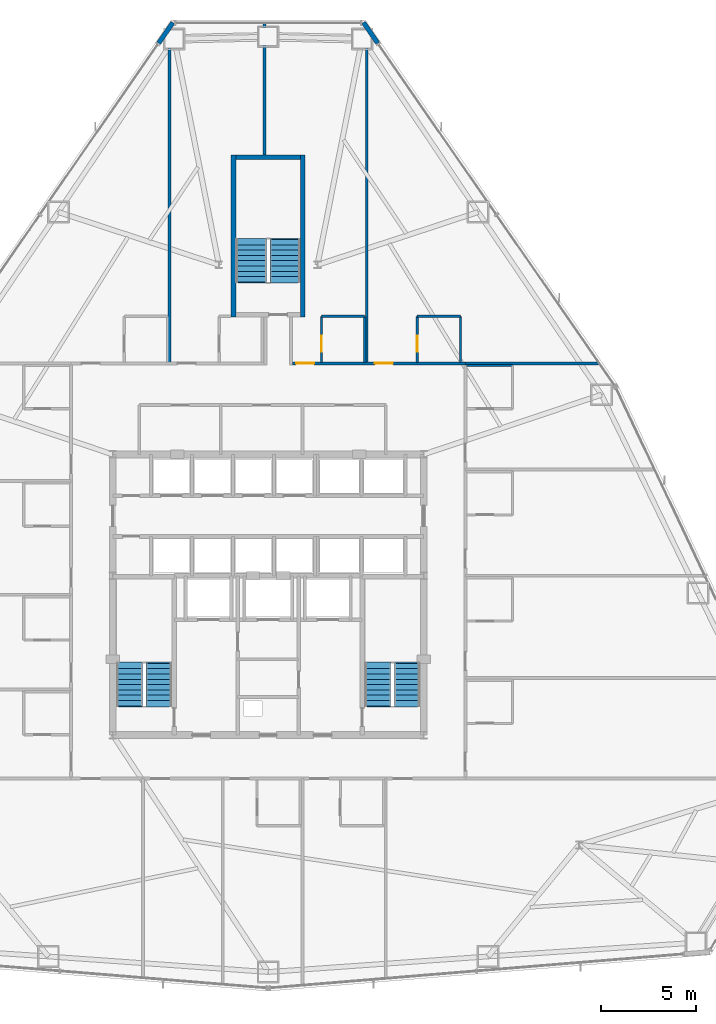
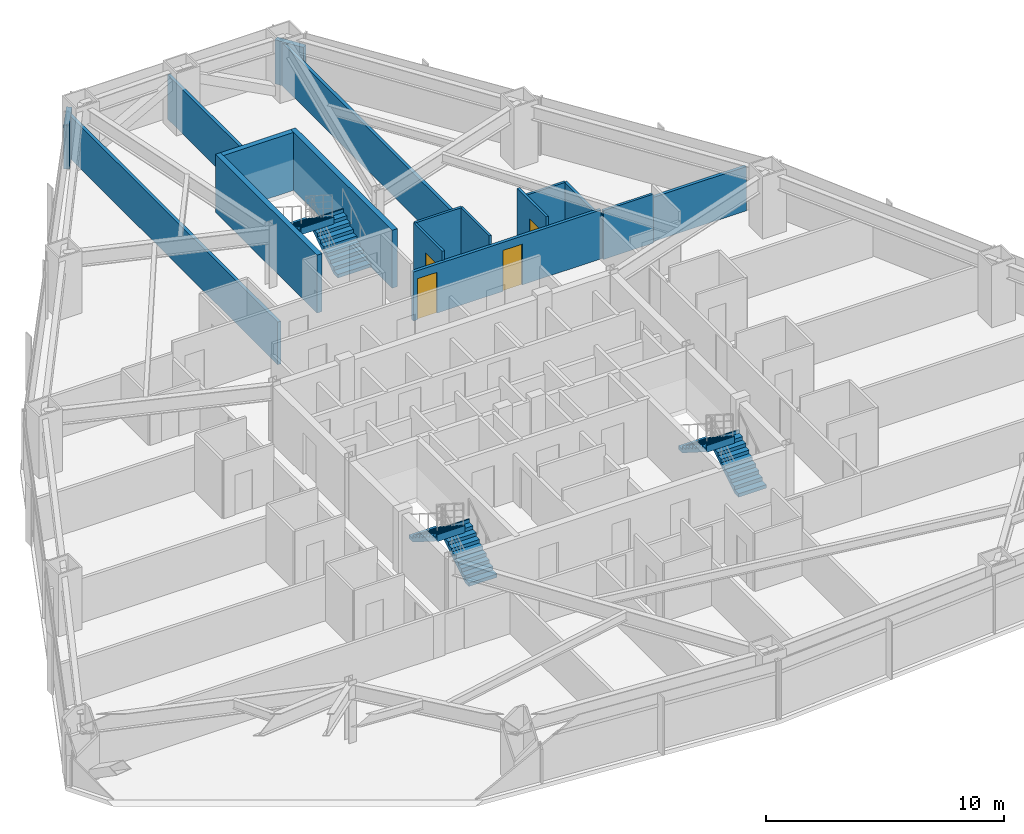
# One storey, part 12 of 13: 17 walls, 6 stair flights, 4 doors, 4 openings, 3 elements without a shape of their own.
"""IFC4 building model written with IfcOpenShell, lengths in metres."""

from ifc_helpers import new_model, si_unit, direction, frame, frame_2d, origin, place, context, subcontext, project, spatial, polyline, rectangle, outline, extrude, material, layer, layer_set, type_object, element, fill, aggregate, save


model = new_model("IFC4")

# Units and contexts
model_context = context("Model", 3, precision=1e-05, world=origin(), true_north=direction((0.0, 1.0)))
body_context = subcontext(model_context, "Body", "Model", "MODEL_VIEW")
ifc_project = project(units=[si_unit("LENGTHUNIT", "METRE"), si_unit("AREAUNIT", "SQUARE_METRE"), si_unit("VOLUMEUNIT", "CUBIC_METRE"), si_unit("PLANEANGLEUNIT", "RADIAN"), si_unit("MASSUNIT", "GRAM", prefix="KILO")], contexts=[model_context])

# Site, building, storey
site_placement = place(None, origin())
site = spatial("IfcSite", under=ifc_project, at=site_placement, CompositionType="ELEMENT")
building_placement = place(site_placement, origin())
building = spatial("IfcBuilding", under=site, at=building_placement, Name="Varakhsha Concourse Tower", CompositionType="ELEMENT")
storey_placement = place(building_placement, frame((0.0, 0.0, 52.800048828125)))
storey = spatial("IfcBuildingStorey", under=building, at=storey_placement, Name="L14", CompositionType="ELEMENT", Elevation=52.800048828125)

# Walls
ifc_material_1 = material(Name="Concrete fc 45 MPa", Category="concrete")
ifc_layer_1 = layer(ifc_material_1, 0.239990234375, Name="WL-EXT-CRN-240")
ifc_layer_set_1 = layer_set([ifc_layer_1], Name="Concrete fc 45 MPa")
wall_type_1 = type_object("IfcWallType", Name="WL-EXT-CRN-240", PredefinedType="SHEAR", material=ifc_layer_set_1)
for number, where, z_axis, x_axis, name in (
    (1, (34.972900390625, 53.982421875, 0.0), (0.0, 0.0, 1.0), (-0.569066739455, -0.82229133891, 0.0), "L14 Wind-Corner Shoulder Wall F2"),
    (2, (45.78369140625, 52.88916015625, 0.0), (0.0, 0.0, 1.0), (-0.569066739455, 0.82229133891, 0.0), "L14 Wind-Corner Shoulder Wall F9"),
):
    element("IfcWall", number, at=place(storey_placement, frame(where, z_axis=z_axis, x_axis=x_axis)), inside=storey, type_object=wall_type_1, Name=name, PredefinedType="SHEAR", context=body_context, shape_type="SweptSolid", body=[
        extrude(rectangle(XDim=1.32958984375, YDim=0.239990234375, at=frame_2d((0.664794921875, 0.0))), origin(), (0.0, 0.0, 1.0), 2.262939453125),
    ])
ifc_material_2 = material(Name="Acoustic Gypsum Board Partition Assembly", Category="gypsum")
ifc_layer_2 = layer(ifc_material_2, 0.1201171875, Name="WL-PART-120")
ifc_layer_set_2 = layer_set([ifc_layer_2], Name="Acoustic Gypsum Board Partition Assembly")
wall_type_2 = type_object("IfcWallType", Name="WL-PART-120", PredefinedType="PARTITIONING", material=ifc_layer_set_2)
wall_1_placement = place(storey_placement, frame((50.4599609375, 35.889892578125, 0.0), z_axis=(0.0, 0.0, 1.0), x_axis=(1.0, 0.0, 0.0)))
element("IfcWall", 3, at=wall_1_placement, inside=storey, type_object=wall_type_2, Name="L14 Wall ENSW-N-L14-H13", PredefinedType="PARTITIONING", context=body_context, shape_type="SweptSolid", body=[
    extrude(rectangle(XDim=2.429931640625, YDim=0.1201171875, at=frame_2d((1.21484375, 0.0))), origin(), (0.0, 0.0, 1.0), 2.512939453125),
])

# Wall, opening, door
wall_2_placement = place(storey_placement, frame((42.81005859375, 36.06005859375, 0.0), z_axis=(0.0, 0.0, 1.0), x_axis=(0.0, 1.0, 0.0)))
wall_2 = element("IfcWall", 4, at=wall_2_placement, inside=storey, type_object=wall_type_2, Name="L14 Wall ENSW-W-L14-H16", PredefinedType="PARTITIONING", context=body_context, shape_type="SweptSolid", body=[
    extrude(rectangle(XDim=2.429931640625, YDim=0.1201171875, at=frame_2d((1.21484375, 0.0))), origin(), (0.0, 0.0, 1.0), 2.97998046875),
])
opening_1_placement = place(wall_2_placement, frame((0.550048828125, 0.0, 0.0)))
opening_1 = element("IfcOpeningElement", 5, at=opening_1_placement, cuts=wall_2, Name="Opening DI-01", PredefinedType="OPENING", context=body_context, shape_type="SweptSolid", body=[
    extrude(rectangle(XDim=0.85009765625, YDim=2.050048828125, at=frame_2d((0.425048828125, 1.02490234375))), frame((0.0, 0.070068359375, 0.0), z_axis=(0.0, -1.0, 0.0), x_axis=(1.0, 0.0, 0.0)), (0.0, 0.0, 1.0), 0.14013671875),
])
ifc_material_3 = material(Name="Architectural Walnut Acoustic Timber Door", Category="wood")
door_type_1 = type_object("IfcDoorType", Name="DR-INT-850", OperationType="NOTDEFINED", PredefinedType="DOOR", material=ifc_material_3)
door_1_placement = place(opening_1_placement, origin())
door_1 = element("IfcDoor", 6, at=door_1_placement, inside=storey, type_object=door_type_1, Name="L14 En-suite Bathroom Door L14-H16", OperationType="SINGLE_SWING_RIGHT", OverallHeight=2.050048828125, OverallWidth=0.85009765625, PredefinedType="DOOR", context=body_context, shape_type="SweptSolid", body=[
    extrude(rectangle(XDim=0.85009765625, YDim=2.050048828125, at=frame_2d((0.425048828125, 1.02490234375))), frame((0.0, 0.02490234375, 0.0), z_axis=(0.0, -1.0, 0.0), x_axis=(1.0, 0.0, 0.0)), (0.0, 0.0, 1.0), 0.050048828125),
])
fill(opening_1, door_1)

# Walls
wall_3_placement = place(storey_placement, frame((45.090087890625, 36.06005859375, 0.0), z_axis=(0.0, 0.0, 1.0), x_axis=(0.0, 1.0, 0.0)))
element("IfcWall", 7, at=wall_3_placement, inside=storey, type_object=wall_type_2, Name="L14 Wall ENSW-E-L14-H16", PredefinedType="PARTITIONING", context=body_context, shape_type="SweptSolid", body=[
    extrude(rectangle(XDim=2.429931640625, YDim=0.1201171875, at=frame_2d((1.21484375, 0.0))), origin(), (0.0, 0.0, 1.0), 2.97998046875),
])
wall_4_placement = place(storey_placement, frame((42.81005859375, 38.489990234375, 0.0), z_axis=(0.0, 0.0, 1.0), x_axis=(1.0, 0.0, 0.0)))
element("IfcWall", 8, at=wall_4_placement, inside=storey, type_object=wall_type_2, Name="L14 Wall ENSW-N-L14-H16", PredefinedType="PARTITIONING", context=body_context, shape_type="SweptSolid", body=[
    extrude(rectangle(XDim=2.280029296875, YDim=0.1201171875, at=frame_2d((1.14013671875, 0.0))), origin(), (0.0, 0.0, 1.0), 2.97998046875),
])

# Wall, opening, door
wall_5_placement = place(storey_placement, frame((47.860107421875, 36.06005859375, 0.0), z_axis=(0.0, 0.0, 1.0), x_axis=(0.0, 1.0, 0.0)))
wall_5 = element("IfcWall", 9, at=wall_5_placement, inside=storey, type_object=wall_type_2, Name="L14 Wall ENSW-W-L14-H17", PredefinedType="PARTITIONING", context=body_context, shape_type="SweptSolid", body=[
    extrude(rectangle(XDim=2.429931640625, YDim=0.1201171875, at=frame_2d((1.21484375, 0.0))), origin(), (0.0, 0.0, 1.0), 2.97998046875),
])
opening_2_placement = place(wall_5_placement, frame((0.550048828125, 0.0, 0.0)))
opening_2 = element("IfcOpeningElement", 10, at=opening_2_placement, cuts=wall_5, Name="Opening DI-01", PredefinedType="OPENING", context=body_context, shape_type="SweptSolid", body=[
    extrude(rectangle(XDim=0.85009765625, YDim=2.050048828125, at=frame_2d((0.425048828125, 1.02490234375))), frame((0.0, 0.070068359375, 0.0), z_axis=(0.0, -1.0, 0.0), x_axis=(1.0, 0.0, 0.0)), (0.0, 0.0, 1.0), 0.14013671875),
])
door_2_placement = place(opening_2_placement, origin())
door_2 = element("IfcDoor", 11, at=door_2_placement, inside=storey, type_object=door_type_1, Name="L14 En-suite Bathroom Door L14-H17", OperationType="SINGLE_SWING_RIGHT", OverallHeight=2.050048828125, OverallWidth=0.85009765625, PredefinedType="DOOR", context=body_context, shape_type="SweptSolid", body=[
    extrude(rectangle(XDim=0.85009765625, YDim=2.050048828125, at=frame_2d((0.425048828125, 1.02490234375))), frame((0.0, 0.02490234375, 0.0), z_axis=(0.0, -1.0, 0.0), x_axis=(1.0, 0.0, 0.0)), (0.0, 0.0, 1.0), 0.050048828125),
])
fill(opening_2, door_2)

# Walls
wall_6_placement = place(storey_placement, frame((50.139892578125, 36.06005859375, 0.0), z_axis=(0.0, 0.0, 1.0), x_axis=(0.0, 1.0, 0.0)))
element("IfcWall", 12, at=wall_6_placement, inside=storey, type_object=wall_type_2, Name="L14 Wall ENSW-E-L14-H17", PredefinedType="PARTITIONING", context=body_context, shape_type="SweptSolid", body=[
    extrude(rectangle(XDim=2.429931640625, YDim=0.1201171875, at=frame_2d((1.21484375, 0.0))), origin(), (0.0, 0.0, 1.0), 2.512939453125),
])
wall_7_placement = place(storey_placement, frame((47.860107421875, 38.489990234375, 0.0), z_axis=(0.0, 0.0, 1.0), x_axis=(1.0, 0.0, 0.0)))
element("IfcWall", 13, at=wall_7_placement, inside=storey, type_object=wall_type_2, Name="L14 Wall ENSW-N-L14-H17", PredefinedType="PARTITIONING", context=body_context, shape_type="SweptSolid", body=[
    extrude(rectangle(XDim=2.27978515625, YDim=0.1201171875, at=frame_2d((1.139892578125, 0.0))), origin(), (0.0, 0.0, 1.0), 2.512939453125),
])

# Wall, openings, doors
ifc_material_4 = material(Name="Fire-Rated Type X Gypsum Partition Assembly", Category="gypsum")
ifc_layer_3 = layer(ifc_material_4, 0.14990234375, Name="WL-PART-150")
ifc_layer_set_3 = layer_set([ifc_layer_3], Name="Fire-Rated Type X Gypsum Partition Assembly")
wall_type_3 = type_object("IfcWallType", Name="WL-PART-150", PredefinedType="PARTITIONING", material=ifc_layer_set_3)
wall_8_placement = place(storey_placement, frame((41.27490234375, 36.0, 0.0), z_axis=(0.0, 0.0, 1.0), x_axis=(1.0, 0.0, 0.0)))
wall_8 = element("IfcWall", 14, at=wall_8_placement, inside=storey, type_object=wall_type_3, Name="L14 Wall CRW-N-L14-B", PredefinedType="PARTITIONING", context=body_context, shape_type="SweptSolid", body=[
    extrude(rectangle(XDim=9.125, YDim=0.14990234375, at=frame_2d((4.5625, 0.0))), origin(), (0.0, 0.0, 1.0), 2.512939453125),
])
opening_3_placement = place(wall_8_placement, frame((0.199951171875, 0.0, 0.0)))
opening_3 = element("IfcOpeningElement", 15, at=opening_3_placement, cuts=wall_8, Name="Opening DF-05", PredefinedType="OPENING", context=body_context, shape_type="SweptSolid", body=[
    extrude(rectangle(XDim=0.949951171875, YDim=2.10009765625, at=frame_2d((0.47509765625, 1.050048828125))), frame((0.0, 0.0849609375, 0.0), z_axis=(0.0, -1.0, 0.0), x_axis=(1.0, 0.0, 0.0)), (0.0, 0.0, 1.0), 0.169921875),
])
opening_4_placement = place(wall_8_placement, frame((4.344970703125, 0.0, 0.0)))
opening_4 = element("IfcOpeningElement", 16, at=opening_4_placement, cuts=wall_8, Name="Opening DF-05", PredefinedType="OPENING", context=body_context, shape_type="SweptSolid", body=[
    extrude(rectangle(XDim=0.949951171875, YDim=2.10009765625, at=frame_2d((0.47509765625, 1.050048828125))), frame((0.0, 0.0849609375, 0.0), z_axis=(0.0, -1.0, 0.0), x_axis=(1.0, 0.0, 0.0)), (0.0, 0.0, 1.0), 0.169921875),
])
ifc_material_5 = material(Name="Hollow Galvanised Steel Fire Door Assembly", Category="steel")
door_type_2 = type_object("IfcDoorType", Name="DR-FD60-950", OperationType="NOTDEFINED", PredefinedType="DOOR", material=ifc_material_5)
door_3_placement = place(opening_3_placement, origin())
door_3 = element("IfcDoor", 17, at=door_3_placement, inside=storey, type_object=door_type_2, Name="L14 Hotel Corner Suite L14-H16 Entry Door", OperationType="SINGLE_SWING_RIGHT", OverallHeight=2.10009765625, OverallWidth=0.949951171875, PredefinedType="DOOR", context=body_context, shape_type="SweptSolid", body=[
    extrude(rectangle(XDim=0.949951171875, YDim=2.10009765625, at=frame_2d((0.47509765625, 1.050048828125))), frame((0.0, 0.02490234375, 0.0), z_axis=(0.0, -1.0, 0.0), x_axis=(1.0, 0.0, 0.0)), (0.0, 0.0, 1.0), 0.050048828125),
])
fill(opening_3, door_3)
door_4_placement = place(opening_4_placement, origin())
door_4 = element("IfcDoor", 18, at=door_4_placement, inside=storey, type_object=door_type_2, Name="L14 Hotel Corner Suite L14-H17 Entry Door", OperationType="SINGLE_SWING_LEFT", OverallHeight=2.10009765625, OverallWidth=0.949951171875, PredefinedType="DOOR", context=body_context, shape_type="SweptSolid", body=[
    extrude(rectangle(XDim=0.949951171875, YDim=2.10009765625, at=frame_2d((0.47509765625, 1.050048828125))), frame((0.0, 0.02490234375, 0.0), z_axis=(0.0, -1.0, 0.0), x_axis=(1.0, 0.0, 0.0)), (0.0, 0.0, 1.0), 0.050048828125),
])
fill(opening_4, door_4)

# Walls
wall_9_placement = place(storey_placement, frame((50.39990234375, 36.0, 0.0), z_axis=(0.0, 0.0, 1.0), x_axis=(1.0, 0.0, 0.0)))
element("IfcWall", 19, at=wall_9_placement, inside=storey, type_object=wall_type_3, Name="L14 Wall HDIV-EBN-L14", PredefinedType="PARTITIONING", context=body_context, shape_type="SweptSolid", body=[
    extrude(rectangle(XDim=7.0654296875, YDim=0.14990234375, at=frame_2d((3.53271484375, 0.0))), origin(), (0.0, 0.0, 1.0), 2.26806640625),
])
wall_10_placement = place(storey_placement, frame((34.800048828125, 36.0, 0.0), z_axis=(0.0, 0.0, 1.0), x_axis=(0.0, 1.0, 0.0)))
element("IfcWall", 20, at=wall_10_placement, inside=storey, type_object=wall_type_3, Name="L14 Wall HDIV-N1-L14", PredefinedType="PARTITIONING", context=body_context, shape_type="SweptSolid", body=[
    extrude(rectangle(XDim=17.723876953125, YDim=0.14990234375, at=frame_2d((8.86181640625, 0.0))), origin(), (0.0, 0.0, 1.0), 2.19091796875),
])
wall_11_placement = place(storey_placement, frame((39.800048828125, 47.0, 0.0), z_axis=(0.0, 0.0, 1.0), x_axis=(0.0, 1.0, 0.0)))
element("IfcWall", 21, at=wall_11_placement, inside=storey, type_object=wall_type_3, Name="L14 Wall HDIV-N2-L14", PredefinedType="PARTITIONING", context=body_context, shape_type="SweptSolid", body=[
    extrude(rectangle(XDim=6.9521484375, YDim=0.14990234375, at=frame_2d((3.47607421875, 0.0))), origin(), (0.0, 0.0, 1.0), 2.26806640625),
])
wall_12_placement = place(storey_placement, frame((45.199951171875, 36.0, 0.0), z_axis=(0.0, 0.0, 1.0), x_axis=(0.0, 1.0, 0.0)))
element("IfcWall", 22, at=wall_12_placement, inside=storey, type_object=wall_type_3, Name="L14 Wall HDIV-N3-L14", PredefinedType="PARTITIONING", context=body_context, shape_type="SweptSolid", body=[
    extrude(rectangle(XDim=17.723876953125, YDim=0.14990234375, at=frame_2d((8.86181640625, 0.0))), origin(), (0.0, 0.0, 1.0), 2.19091796875),
])
ifc_layer_4 = layer(ifc_material_1, 0.25, Name="WL-STAIR-250")
ifc_layer_set_4 = layer_set([ifc_layer_4], Name="Concrete fc 45 MPa")
wall_type_4 = type_object("IfcWallType", Name="WL-STAIR-250", PredefinedType="SHEAR", material=ifc_layer_set_4)
for number, where, z_axis, x_axis, name in (
    (23, (38.175048828125, 38.449951171875, 0.0), (0.0, 0.0, 1.0), (0.0, 1.0, 0.0), "L14 Wall SWALL-ST5-W-L14"),
    (24, (41.824951171875, 38.449951171875, 0.0), (0.0, 0.0, 1.0), (0.0, 1.0, 0.0), "L14 Wall SWALL-ST5-E-L14"),
):
    element("IfcWall", number, at=place(storey_placement, frame(where, z_axis=z_axis, x_axis=x_axis)), inside=storey, type_object=wall_type_4, Name=name, PredefinedType="SHEAR", context=body_context, shape_type="SweptSolid", body=[
        extrude(rectangle(XDim=8.550048828125, YDim=0.25, at=frame_2d((4.27490234375, 0.0))), origin(), (0.0, 0.0, 1.0), 2.97998046875),
    ])
wall_13_placement = place(storey_placement, frame((38.300048828125, 46.875, 0.0), z_axis=(0.0, 0.0, 1.0), x_axis=(1.0, 0.0, 0.0)))
element("IfcWall", 25, at=wall_13_placement, inside=storey, type_object=wall_type_4, Name="L14 Wall SWALL-ST5-N-L14", PredefinedType="SHEAR", context=body_context, shape_type="SweptSolid", body=[
    extrude(rectangle(XDim=3.39990234375, YDim=0.25, at=frame_2d((1.699951171875, 0.0))), origin(), (0.0, 0.0, 1.0), 2.97998046875),
])

# Stair, stair flights
stair_type_1 = type_object("IfcStairType", Name="ST-DOGLEG-1360", PredefinedType="HALF_TURN_STAIR", material=ifc_material_1)
stair_1_placement = place(storey_placement, origin())
stair_1 = element("IfcStair", 26, at=stair_1_placement, inside=storey, type_object=stair_type_1, Name="L14 Protected Exit Stair ST1", PredefinedType="HALF_TURN_STAIR")
stair_flight_type_1 = type_object("IfcStairFlightType", Name="STF-1360-R1778", PredefinedType="STRAIGHT", material=ifc_material_1)
stair_flight_1_placement = place(storey_placement, frame((34.239990234375, 17.93994140625, 0.0), z_axis=(0.0, 0.0, 1.0), x_axis=(0.0, 1.0, 0.0)))
stair_flight_1 = element("IfcStairFlight", 27, at=stair_flight_1_placement, type_object=stair_flight_type_1, Name="ST1 flight 1", NumberOfRisers=9, NumberOfTreads=8, PredefinedType="STRAIGHT", RiserHeight=0.177777778, TreadLength=0.28, context=body_context, shape_type="SweptSolid", body=[
    extrude(outline(polyline([(-0.06005859375, 0.0), (-0.06005859375, 0.177734375), (0.0, 0.177734375), (0.280029296875, 0.177734375), (0.280029296875, 0.35546875), (0.56005859375, 0.35546875), (0.56005859375, 0.533447265625), (0.840087890625, 0.533447265625), (0.840087890625, 0.711181640625), (1.1201171875, 0.711181640625), (1.1201171875, 0.888916015625), (1.39990234375, 0.888916015625), (1.39990234375, 1.066650390625), (1.679931640625, 1.066650390625), (1.679931640625, 1.244384765625), (1.9599609375, 1.244384765625), (1.9599609375, 1.422119140625), (2.239990234375, 1.422119140625), (2.239990234375, 1.60009765625), (2.300048828125, 1.60009765625), (2.300048828125, 1.24462890625), (2.239990234375, 1.24462890625), (0.27978515625, 0.0), (-0.06005859375, 0.0)])), frame((0.0, 0.68017578125, 0.0), z_axis=(0.0, -1.0, 0.0), x_axis=(1.0, 0.0, 0.0)), (0.0, 0.0, 1.0), 1.360107421875),
])
stair_flight_2_placement = place(storey_placement, frame((32.679931640625, 20.179931640625, 1.599853515625), z_axis=(0.0, 0.0, 1.0), x_axis=(0.0, -1.0, 0.0)))
stair_flight_2 = element("IfcStairFlight", 28, at=stair_flight_2_placement, type_object=stair_flight_type_1, Name="ST1 flight 2", NumberOfRisers=9, NumberOfTreads=8, PredefinedType="STRAIGHT", RiserHeight=0.177777778, TreadLength=0.28, context=body_context, shape_type="SweptSolid", body=[
    extrude(outline(polyline([(-0.06005859375, 0.0), (-0.06005859375, 0.177734375), (0.0, 0.177734375), (0.280029296875, 0.177734375), (0.280029296875, 0.35546875), (0.56005859375, 0.35546875), (0.56005859375, 0.533447265625), (0.840087890625, 0.533447265625), (0.840087890625, 0.711181640625), (1.1201171875, 0.711181640625), (1.1201171875, 0.888916015625), (1.39990234375, 0.888916015625), (1.39990234375, 1.066650390625), (1.679931640625, 1.066650390625), (1.679931640625, 1.244384765625), (1.9599609375, 1.244384765625), (1.9599609375, 1.422119140625), (2.239990234375, 1.422119140625), (2.239990234375, 1.60009765625), (2.300048828125, 1.60009765625), (2.300048828125, 1.24462890625), (2.239990234375, 1.24462890625), (0.27978515625, 0.0), (-0.06005859375, 0.0)])), frame((0.0, 0.68017578125, 0.0), z_axis=(0.0, -1.0, 0.0), x_axis=(1.0, 0.0, 0.0)), (0.0, 0.0, 1.0), 1.360107421875),
])
aggregate(stair_1, [stair_flight_1, stair_flight_2])

stair_2_placement = place(storey_placement, origin())
stair_2 = element("IfcStair", 29, at=stair_2_placement, inside=storey, type_object=stair_type_1, Name="L14 Protected Exit Stair ST2", PredefinedType="HALF_TURN_STAIR")
stair_flight_3_placement = place(storey_placement, frame((47.340087890625, 17.93994140625, 0.0), z_axis=(0.0, 0.0, 1.0), x_axis=(0.0, 1.0, 0.0)))
stair_flight_3 = element("IfcStairFlight", 30, at=stair_flight_3_placement, type_object=stair_flight_type_1, Name="ST2 flight 1", NumberOfRisers=9, NumberOfTreads=8, PredefinedType="STRAIGHT", RiserHeight=0.177777778, TreadLength=0.28, context=body_context, shape_type="SweptSolid", body=[
    extrude(outline(polyline([(-0.06005859375, 0.0), (-0.06005859375, 0.177734375), (0.0, 0.177734375), (0.280029296875, 0.177734375), (0.280029296875, 0.35546875), (0.56005859375, 0.35546875), (0.56005859375, 0.533447265625), (0.840087890625, 0.533447265625), (0.840087890625, 0.711181640625), (1.1201171875, 0.711181640625), (1.1201171875, 0.888916015625), (1.39990234375, 0.888916015625), (1.39990234375, 1.066650390625), (1.679931640625, 1.066650390625), (1.679931640625, 1.244384765625), (1.9599609375, 1.244384765625), (1.9599609375, 1.422119140625), (2.239990234375, 1.422119140625), (2.239990234375, 1.60009765625), (2.300048828125, 1.60009765625), (2.300048828125, 1.24462890625), (2.239990234375, 1.24462890625), (0.27978515625, 0.0), (-0.06005859375, 0.0)])), frame((0.0, 0.68017578125, 0.0), z_axis=(0.0, -1.0, 0.0), x_axis=(1.0, 0.0, 0.0)), (0.0, 0.0, 1.0), 1.360107421875),
])
stair_flight_4_placement = place(storey_placement, frame((45.780029296875, 20.179931640625, 1.599853515625), z_axis=(0.0, 0.0, 1.0), x_axis=(0.0, -1.0, 0.0)))
stair_flight_4 = element("IfcStairFlight", 31, at=stair_flight_4_placement, type_object=stair_flight_type_1, Name="ST2 flight 2", NumberOfRisers=9, NumberOfTreads=8, PredefinedType="STRAIGHT", RiserHeight=0.177777778, TreadLength=0.28, context=body_context, shape_type="SweptSolid", body=[
    extrude(outline(polyline([(-0.06005859375, 0.0), (-0.06005859375, 0.177734375), (0.0, 0.177734375), (0.280029296875, 0.177734375), (0.280029296875, 0.35546875), (0.56005859375, 0.35546875), (0.56005859375, 0.533447265625), (0.840087890625, 0.533447265625), (0.840087890625, 0.711181640625), (1.1201171875, 0.711181640625), (1.1201171875, 0.888916015625), (1.39990234375, 0.888916015625), (1.39990234375, 1.066650390625), (1.679931640625, 1.066650390625), (1.679931640625, 1.244384765625), (1.9599609375, 1.244384765625), (1.9599609375, 1.422119140625), (2.239990234375, 1.422119140625), (2.239990234375, 1.60009765625), (2.300048828125, 1.60009765625), (2.300048828125, 1.24462890625), (2.239990234375, 1.24462890625), (0.27978515625, 0.0), (-0.06005859375, 0.0)])), frame((0.0, 0.68017578125, 0.0), z_axis=(0.0, -1.0, 0.0), x_axis=(1.0, 0.0, 0.0)), (0.0, 0.0, 1.0), 1.360107421875),
])
aggregate(stair_2, [stair_flight_3, stair_flight_4])

stair_type_2 = type_object("IfcStairType", Name="ST-DOGLEG-1600", PredefinedType="HALF_TURN_STAIR", material=ifc_material_1)
stair_3_placement = place(storey_placement, origin())
stair_3 = element("IfcStair", 32, at=stair_3_placement, inside=storey, type_object=stair_type_2, Name="L14 Protected Exit Stair ST5", PredefinedType="HALF_TURN_STAIR")
stair_flight_type_2 = type_object("IfcStairFlightType", Name="STF-1600-R1778", PredefinedType="STRAIGHT", material=ifc_material_1)
stair_flight_5_placement = place(storey_placement, frame((40.89990234375, 40.300048828125, 0.0), z_axis=(0.0, 0.0, 1.0), x_axis=(0.0, 1.0, 0.0)))
stair_flight_5 = element("IfcStairFlight", 33, at=stair_flight_5_placement, type_object=stair_flight_type_2, Name="ST5 flight 1", NumberOfRisers=9, NumberOfTreads=8, PredefinedType="STRAIGHT", RiserHeight=0.177777778, TreadLength=0.28, context=body_context, shape_type="SweptSolid", body=[
    extrude(outline(polyline([(-0.06005859375, 0.0), (-0.06005859375, 0.177734375), (0.0, 0.177734375), (0.280029296875, 0.177734375), (0.280029296875, 0.35546875), (0.56005859375, 0.35546875), (0.56005859375, 0.533447265625), (0.840087890625, 0.533447265625), (0.840087890625, 0.711181640625), (1.1201171875, 0.711181640625), (1.1201171875, 0.888916015625), (1.39990234375, 0.888916015625), (1.39990234375, 1.066650390625), (1.679931640625, 1.066650390625), (1.679931640625, 1.244384765625), (1.9599609375, 1.244384765625), (1.9599609375, 1.422119140625), (2.239990234375, 1.422119140625), (2.239990234375, 1.60009765625), (2.300048828125, 1.60009765625), (2.300048828125, 1.24462890625), (2.239990234375, 1.24462890625), (0.27978515625, 0.0), (-0.06005859375, 0.0)])), frame((0.0, 0.800048828125, 0.0), z_axis=(0.0, -1.0, 0.0), x_axis=(1.0, 0.0, 0.0)), (0.0, 0.0, 1.0), 1.60009765625),
])
stair_flight_6_placement = place(storey_placement, frame((39.10009765625, 42.5400390625, 1.599853515625), z_axis=(0.0, 0.0, 1.0), x_axis=(0.0, -1.0, 0.0)))
stair_flight_6 = element("IfcStairFlight", 34, at=stair_flight_6_placement, type_object=stair_flight_type_2, Name="ST5 flight 2", NumberOfRisers=9, NumberOfTreads=8, PredefinedType="STRAIGHT", RiserHeight=0.177777778, TreadLength=0.28, context=body_context, shape_type="SweptSolid", body=[
    extrude(outline(polyline([(-0.06005859375, 0.0), (-0.06005859375, 0.177734375), (0.0, 0.177734375), (0.280029296875, 0.177734375), (0.280029296875, 0.35546875), (0.56005859375, 0.35546875), (0.56005859375, 0.533447265625), (0.840087890625, 0.533447265625), (0.840087890625, 0.711181640625), (1.1201171875, 0.711181640625), (1.1201171875, 0.888916015625), (1.39990234375, 0.888916015625), (1.39990234375, 1.066650390625), (1.679931640625, 1.066650390625), (1.679931640625, 1.244384765625), (1.9599609375, 1.244384765625), (1.9599609375, 1.422119140625), (2.239990234375, 1.422119140625), (2.239990234375, 1.60009765625), (2.300048828125, 1.60009765625), (2.300048828125, 1.24462890625), (2.239990234375, 1.24462890625), (0.27978515625, 0.0), (-0.06005859375, 0.0)])), frame((0.0, 0.800048828125, 0.0), z_axis=(0.0, -1.0, 0.0), x_axis=(1.0, 0.0, 0.0)), (0.0, 0.0, 1.0), 1.60009765625),
])
aggregate(stair_3, [stair_flight_5, stair_flight_6])

save(model, "model.ifc")
